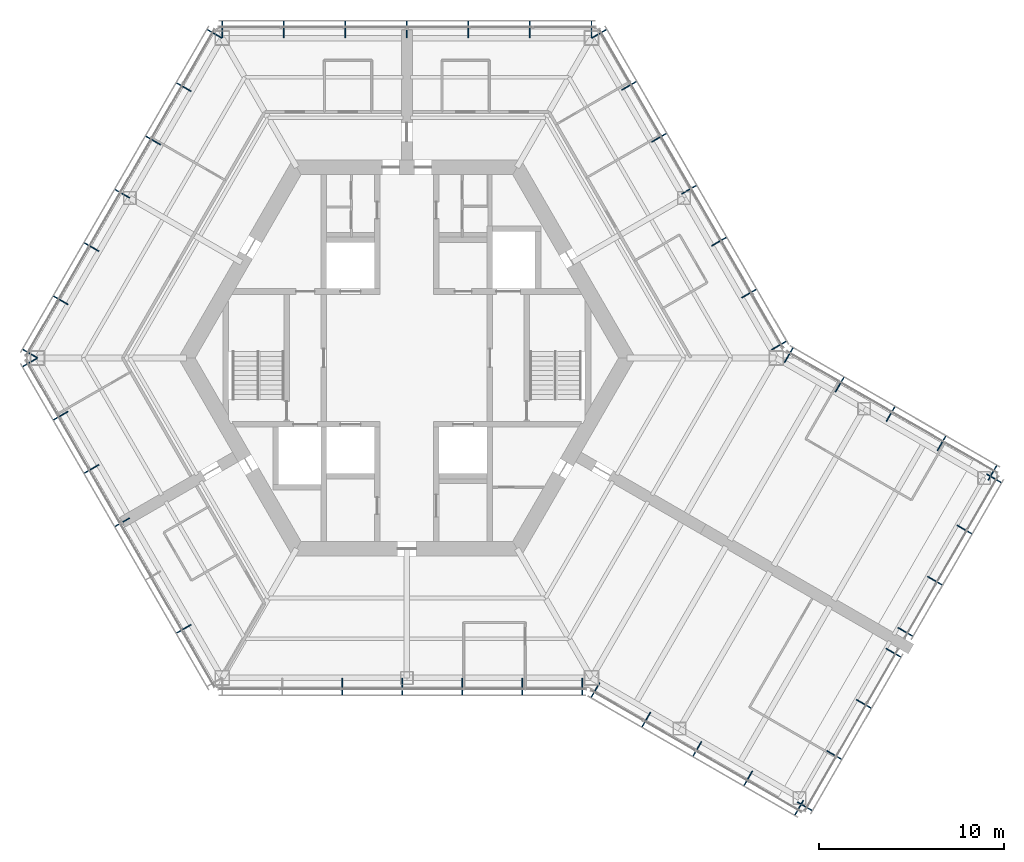
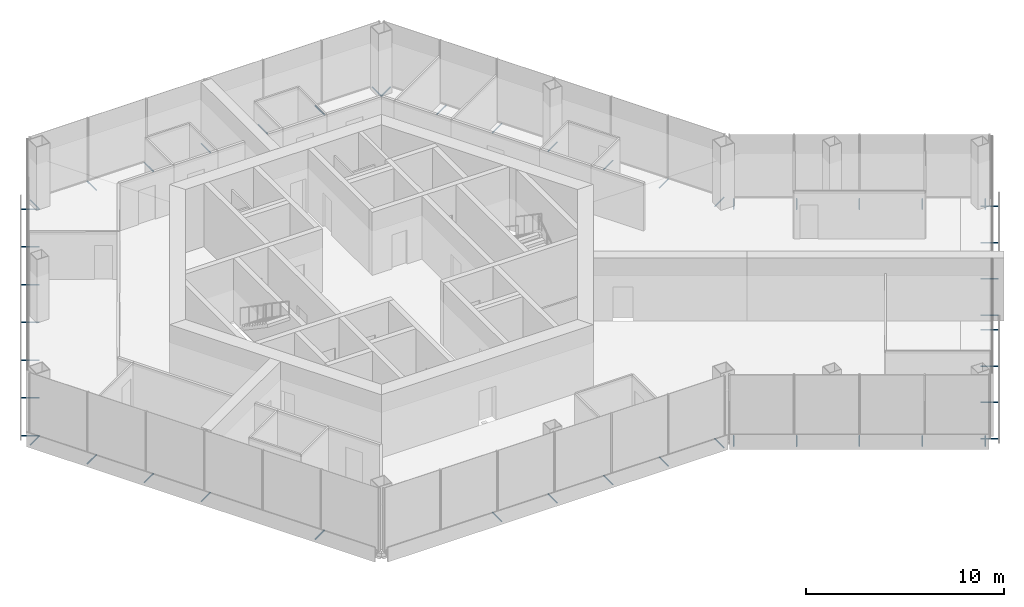
# One storey, part 14 of 15: 49 discrete accessories.
"""IFC4 building model written with IfcOpenShell, lengths in metres."""

from ifc_helpers import new_model, si_unit, direction, frame, origin, origin_2d, place, context, subcontext, project, spatial, hollow_circle, extrude, material, material_profile, profile_set, type_object, element, save


model = new_model("IFC4")

# Units and contexts
model_context = context("Model", 3, precision=1e-05, world=origin(), true_north=direction((0.0, 1.0)))
body_context = subcontext(model_context, "Body", "Model", "MODEL_VIEW")
ifc_project = project(units=[si_unit("LENGTHUNIT", "METRE"), si_unit("AREAUNIT", "SQUARE_METRE"), si_unit("VOLUMEUNIT", "CUBIC_METRE"), si_unit("PLANEANGLEUNIT", "RADIAN"), si_unit("MASSUNIT", "GRAM", prefix="KILO")], contexts=[model_context])

# Site, building, storey
site_placement = place(None, origin())
site = spatial("IfcSite", under=ifc_project, at=site_placement, CompositionType="ELEMENT")
building_placement = place(site_placement, origin())
building = spatial("IfcBuilding", under=site, at=building_placement, Name="Kasaneha Research Tower", CompositionType="ELEMENT")
storey_placement = place(building_placement, frame((0.0, 0.0, 240.10009765625)))
storey = spatial("IfcBuildingStorey", under=building, at=storey_placement, Name="L60", CompositionType="ELEMENT", Elevation=240.10009765625)

# Discrete accessories
ifc_material = material(Name="Steel STK400", Category="steel")
ifc_material_profile = material_profile(ifc_material, hollow_circle(Radius=0.0380859375, WallThickness=0.00390625, at=origin_2d()), Name="CHS-76.3x4.0")
ifc_profile_set = profile_set([ifc_material_profile], Name="Steel STK400")
discrete_accessory_type = type_object("IfcDiscreteAccessoryType", Name="Screen bracket CHS-76.3x4.0", PredefinedType="BRACKET", material=ifc_profile_set)
for number, where, z_axis, x_axis, name in (
    (1, (19.74462890625, 0.4423828125, -0.300048828125), (0.866013213425, 0.500021113727, 0.0), (-0.500021113727, 0.866013213425, 0.0), "Screen bracket 1"),
    (2, (18.120849609375, 3.2548828125, -0.300048828125), (0.866013213425, 0.500021113727, 0.0), (-0.500021113727, 0.866013213425, 0.0), "Screen bracket 2"),
    (3, (16.4970703125, 6.0673828125, -0.300048828125), (0.866013213425, 0.500021113727, 0.0), (-0.500021113727, 0.866013213425, 0.0), "Screen bracket 3"),
    (4, (14.873291015625, 8.8798828125, -0.300048828125), (0.866013213425, 0.500021113727, 0.0), (-0.500021113727, 0.866013213425, 0.0), "Screen bracket 4"),
    (5, (13.24951171875, 11.6923828125, -0.300048828125), (0.866013213425, 0.500021113727, 0.0), (-0.500021113727, 0.866013213425, 0.0), "Screen bracket 5"),
):
    element("IfcDiscreteAccessory", number, at=place(storey_placement, frame(where, z_axis=z_axis, x_axis=x_axis)), inside=storey, type_object=discrete_accessory_type, Name=name, PredefinedType="BRACKET", context=body_context, shape_type="SweptSolid", body=[
        extrude(hollow_circle(Radius=0.0380859375, WallThickness=0.00390625, at=origin_2d()), origin(), (0.0, 0.0, 1.0), 0.919921875),
    ])
for number, where, z_axis, x_axis, name in (
    (6, (11.62548828125, 14.5048828125, -0.300048828125), (0.866079547155, 0.499906209203, 0.0), (-0.499906209203, 0.866079547155, 0.0), "Screen bracket 6"),
    (7, (10.001708984375, 17.3173828125, -0.300048828125), (0.866079547155, 0.499906209203, 0.0), (-0.499906209203, 0.866079547155, 0.0), "Screen bracket 7"),
):
    element("IfcDiscreteAccessory", number, at=place(storey_placement, frame(where, z_axis=z_axis, x_axis=x_axis)), inside=storey, type_object=discrete_accessory_type, Name=name, PredefinedType="BRACKET", context=body_context, shape_type="SweptSolid", body=[
        extrude(hollow_circle(Radius=0.0380859375, WallThickness=0.00390625, at=origin_2d()), origin(), (0.0, 0.0, 1.0), 0.920166015625),
    ])
for number, where, z_axis, x_axis, name in (
    (8, (9.996337890625, 17.320556640625, -0.300048828125), (0.0, 1.0, 0.0), (-1.0, 0.0, 0.0), "Screen bracket 1"),
    (9, (6.664306640625, 17.320556640625, -0.300048828125), (0.0, 1.0, 0.0), (-1.0, 0.0, 0.0), "Screen bracket 2"),
    (10, (3.33203125, 17.320556640625, -0.300048828125), (0.0, 1.0, 0.0), (-1.0, 0.0, 0.0), "Screen bracket 3"),
    (11, (0.0, 17.320556640625, -0.300048828125), (0.0, 1.0, 0.0), (-1.0, 0.0, 0.0), "Screen bracket 4"),
    (12, (-3.33203125, 17.320556640625, -0.300048828125), (0.0, 1.0, 0.0), (-1.0, 0.0, 0.0), "Screen bracket 5"),
    (13, (-6.664306640625, 17.320556640625, -0.300048828125), (0.0, 1.0, 0.0), (-1.0, 0.0, 0.0), "Screen bracket 6"),
    (14, (-9.996337890625, 17.320556640625, -0.300048828125), (0.0, 1.0, 0.0), (-1.0, 0.0, 0.0), "Screen bracket 7"),
):
    element("IfcDiscreteAccessory", number, at=place(storey_placement, frame(where, z_axis=z_axis, x_axis=x_axis)), inside=storey, type_object=discrete_accessory_type, Name=name, PredefinedType="BRACKET", context=body_context, shape_type="SweptSolid", body=[
        extrude(hollow_circle(Radius=0.0380859375, WallThickness=0.00390625, at=origin_2d()), origin(), (0.0, 0.0, 1.0), 0.919921875),
    ])
discrete_accessory_1_placement = place(storey_placement, frame((-10.001708984375, 17.3173828125, -0.300048828125), z_axis=(-0.866079547155, 0.499906209203, 0.0), x_axis=(-0.499906209203, -0.866079547155, 0.0)))
element("IfcDiscreteAccessory", 15, at=discrete_accessory_1_placement, inside=storey, type_object=discrete_accessory_type, Name="Screen bracket 1", PredefinedType="BRACKET", context=body_context, shape_type="SweptSolid", body=[
    extrude(hollow_circle(Radius=0.0380859375, WallThickness=0.00390625, at=origin_2d()), origin(), (0.0, 0.0, 1.0), 0.920166015625),
])
for number, where, z_axis, x_axis, name in (
    (16, (-11.66796875, 14.431640625, -0.300048828125), (-0.866013213425, 0.500021113727, 0.0), (-0.500021113727, -0.866013213425, 0.0), "Screen bracket 2"),
    (17, (-13.333984375, 11.5458984375, -0.300048828125), (-0.866013213425, 0.500021113727, 0.0), (-0.500021113727, -0.866013213425, 0.0), "Screen bracket 3"),
    (18, (-15.0, 8.66015625, -0.300048828125), (-0.865898279276, 0.500220121494, 0.0), (-0.500220121494, -0.865898279276, 0.0), "Screen bracket 4"),
):
    element("IfcDiscreteAccessory", number, at=place(storey_placement, frame(where, z_axis=z_axis, x_axis=x_axis)), inside=storey, type_object=discrete_accessory_type, Name=name, PredefinedType="BRACKET", context=body_context, shape_type="SweptSolid", body=[
        extrude(hollow_circle(Radius=0.0380859375, WallThickness=0.00390625, at=origin_2d()), origin(), (0.0, 0.0, 1.0), 0.919921875),
    ])
for number, where, z_axis, x_axis, name in (
    (19, (-16.666015625, 5.774658203125, -0.300048828125), (-0.866079547155, 0.499906209203, 0.0), (-0.499906209203, -0.866079547155, 0.0), "Screen bracket 5"),
    (20, (-18.33203125, 2.888916015625, -0.300048828125), (-0.866079547155, 0.499906209203, 0.0), (-0.499906209203, -0.866079547155, 0.0), "Screen bracket 6"),
):
    element("IfcDiscreteAccessory", number, at=place(storey_placement, frame(where, z_axis=z_axis, x_axis=x_axis)), inside=storey, type_object=discrete_accessory_type, Name=name, PredefinedType="BRACKET", context=body_context, shape_type="SweptSolid", body=[
        extrude(hollow_circle(Radius=0.0380859375, WallThickness=0.00390625, at=origin_2d()), origin(), (0.0, 0.0, 1.0), 0.920166015625),
    ])
for number, where, z_axis, x_axis, name in (
    (21, (-19.998291015625, 0.003173828125, -0.300048828125), (-0.866013213425, 0.500021113727, 0.0), (-0.500021113727, -0.866013213425, 0.0), "Screen bracket 7"),
    (22, (-19.998291015625, -0.003173828125, -0.300048828125), (-0.866013213425, -0.500021113727, 0.0), (0.500021113727, -0.866013213425, 0.0), "Screen bracket 1"),
):
    element("IfcDiscreteAccessory", number, at=place(storey_placement, frame(where, z_axis=z_axis, x_axis=x_axis)), inside=storey, type_object=discrete_accessory_type, Name=name, PredefinedType="BRACKET", context=body_context, shape_type="SweptSolid", body=[
        extrude(hollow_circle(Radius=0.0380859375, WallThickness=0.00390625, at=origin_2d()), origin(), (0.0, 0.0, 1.0), 0.919921875),
    ])
for number, where, z_axis, x_axis, name in (
    (23, (-18.33203125, -2.888916015625, -0.300048828125), (-0.866079547155, -0.499906209203, 0.0), (0.499906209203, -0.866079547155, 0.0), "Screen bracket 2"),
    (24, (-16.666015625, -5.774658203125, -0.300048828125), (-0.866079547155, -0.499906209203, 0.0), (0.499906209203, -0.866079547155, 0.0), "Screen bracket 3"),
):
    element("IfcDiscreteAccessory", number, at=place(storey_placement, frame(where, z_axis=z_axis, x_axis=x_axis)), inside=storey, type_object=discrete_accessory_type, Name=name, PredefinedType="BRACKET", context=body_context, shape_type="SweptSolid", body=[
        extrude(hollow_circle(Radius=0.0380859375, WallThickness=0.00390625, at=origin_2d()), origin(), (0.0, 0.0, 1.0), 0.920166015625),
    ])
for number, where, z_axis, x_axis, name in (
    (25, (-15.0, -8.66015625, -0.300048828125), (-0.865898279276, -0.500220121494, 0.0), (0.500220121494, -0.865898279276, 0.0), "Screen bracket 4"),
    (26, (-11.66796875, -14.431640625, -0.300048828125), (-0.866013213425, -0.500021113727, 0.0), (0.500021113727, -0.866013213425, 0.0), "Screen bracket 6"),
    (27, (-3.501220703125, -17.320556640625, -0.300048828125), (0.0, -1.0, 0.0), (1.0, 0.0, 0.0), "Screen bracket 3"),
    (28, (-0.253662109375, -17.320556640625, -0.300048828125), (0.0, -1.0, 0.0), (1.0, 0.0, 0.0), "Screen bracket 4"),
    (29, (2.993896484375, -17.320556640625, -0.300048828125), (0.0, -1.0, 0.0), (1.0, 0.0, 0.0), "Screen bracket 5"),
    (30, (6.24169921875, -17.320556640625, -0.300048828125), (0.0, -1.0, 0.0), (1.0, 0.0, 0.0), "Screen bracket 6"),
    (31, (9.4892578125, -17.320556640625, -0.300048828125), (0.0, -1.0, 0.0), (1.0, 0.0, 0.0), "Screen bracket 7"),
    (32, (10.4423828125, -17.575927734375, -0.300048828125), (-0.500021113727, -0.866013213425, 0.0), (0.866013213425, -0.500021113727, 0.0), "Screen bracket 1"),
):
    element("IfcDiscreteAccessory", number, at=place(storey_placement, frame(where, z_axis=z_axis, x_axis=x_axis)), inside=storey, type_object=discrete_accessory_type, Name=name, PredefinedType="BRACKET", context=body_context, shape_type="SweptSolid", body=[
        extrude(hollow_circle(Radius=0.0380859375, WallThickness=0.00390625, at=origin_2d()), origin(), (0.0, 0.0, 1.0), 0.919921875),
    ])
discrete_accessory_2_placement = place(storey_placement, frame((13.200439453125, -19.168212890625, -0.300048828125), z_axis=(-0.499906209203, -0.866079547155, 0.0), x_axis=(0.866079547155, -0.499906209203, 0.0)))
element("IfcDiscreteAccessory", 33, at=discrete_accessory_2_placement, inside=storey, type_object=discrete_accessory_type, Name="Screen bracket 2", PredefinedType="BRACKET", context=body_context, shape_type="SweptSolid", body=[
    extrude(hollow_circle(Radius=0.0380859375, WallThickness=0.00390625, at=origin_2d()), origin(), (0.0, 0.0, 1.0), 0.920166015625),
])
discrete_accessory_3_placement = place(storey_placement, frame((15.95849609375, -20.7607421875, -0.300048828125), z_axis=(-0.500021113727, -0.866013213425, 0.0), x_axis=(0.866013213425, -0.500021113727, 0.0)))
element("IfcDiscreteAccessory", 34, at=discrete_accessory_3_placement, inside=storey, type_object=discrete_accessory_type, Name="Screen bracket 3", PredefinedType="BRACKET", context=body_context, shape_type="SweptSolid", body=[
    extrude(hollow_circle(Radius=0.0380859375, WallThickness=0.00390625, at=origin_2d()), origin(), (0.0, 0.0, 1.0), 0.919921875),
])
discrete_accessory_4_placement = place(storey_placement, frame((18.716796875, -22.35302734375, -0.300048828125), z_axis=(-0.500105201737, -0.865964657013, 0.0), x_axis=(0.865964657013, -0.500105201737, 0.0)))
element("IfcDiscreteAccessory", 35, at=discrete_accessory_4_placement, inside=storey, type_object=discrete_accessory_type, Name="Screen bracket 4", PredefinedType="BRACKET", context=body_context, shape_type="SweptSolid", body=[
    extrude(hollow_circle(Radius=0.0380859375, WallThickness=0.00390625, at=origin_2d()), origin(), (0.0, 0.0, 1.0), 0.920166015625),
])
discrete_accessory_5_placement = place(storey_placement, frame((21.474853515625, -23.945556640625, -0.300048828125), z_axis=(-0.500021113727, -0.866013213425, 0.0), x_axis=(0.866013213425, -0.500021113727, 0.0)))
element("IfcDiscreteAccessory", 36, at=discrete_accessory_5_placement, inside=storey, type_object=discrete_accessory_type, Name="Screen bracket 5", PredefinedType="BRACKET", context=body_context, shape_type="SweptSolid", body=[
    extrude(hollow_circle(Radius=0.0380859375, WallThickness=0.00390625, at=origin_2d()), origin(), (0.0, 0.0, 1.0), 0.919921875),
])
discrete_accessory_6_placement = place(storey_placement, frame((21.13330078125, -24.037109375, -0.300048828125), z_axis=(0.866079547155, -0.499906209203, 0.0), x_axis=(0.499906209203, 0.866079547155, 0.0)))
element("IfcDiscreteAccessory", 37, at=discrete_accessory_6_placement, inside=storey, type_object=discrete_accessory_type, Name="Screen bracket 1", PredefinedType="BRACKET", context=body_context, shape_type="SweptSolid", body=[
    extrude(hollow_circle(Radius=0.0380859375, WallThickness=0.00390625, at=origin_2d()), origin(), (0.0, 0.0, 1.0), 0.920166015625),
])
discrete_accessory_7_placement = place(storey_placement, frame((22.7333984375, -21.265625, -0.300048828125), z_axis=(0.865898279276, -0.500220121494, 0.0), x_axis=(0.500220121494, 0.865898279276, 0.0)))
element("IfcDiscreteAccessory", 38, at=discrete_accessory_7_placement, inside=storey, type_object=discrete_accessory_type, Name="Screen bracket 2", PredefinedType="BRACKET", context=body_context, shape_type="SweptSolid", body=[
    extrude(hollow_circle(Radius=0.0380859375, WallThickness=0.00390625, at=origin_2d()), origin(), (0.0, 0.0, 1.0), 0.919921875),
])
discrete_accessory_8_placement = place(storey_placement, frame((24.333251953125, -18.494384765625, -0.300048828125), z_axis=(0.866079547155, -0.499906209203, 0.0), x_axis=(0.499906209203, 0.866079547155, 0.0)))
element("IfcDiscreteAccessory", 39, at=discrete_accessory_8_placement, inside=storey, type_object=discrete_accessory_type, Name="Screen bracket 3", PredefinedType="BRACKET", context=body_context, shape_type="SweptSolid", body=[
    extrude(hollow_circle(Radius=0.0380859375, WallThickness=0.00390625, at=origin_2d()), origin(), (0.0, 0.0, 1.0), 0.920166015625),
])
discrete_accessory_9_placement = place(storey_placement, frame((25.933349609375, -15.72314453125, -0.300048828125), z_axis=(0.866013213425, -0.500021113727, 0.0), x_axis=(0.500021113727, 0.866013213425, 0.0)))
element("IfcDiscreteAccessory", 40, at=discrete_accessory_9_placement, inside=storey, type_object=discrete_accessory_type, Name="Screen bracket 4", PredefinedType="BRACKET", context=body_context, shape_type="SweptSolid", body=[
    extrude(hollow_circle(Radius=0.0380859375, WallThickness=0.00390625, at=origin_2d()), origin(), (0.0, 0.0, 1.0), 0.919921875),
])
discrete_accessory_10_placement = place(storey_placement, frame((26.583251953125, -14.597412109375, -0.300048828125), z_axis=(0.866079547155, -0.499906209203, 0.0), x_axis=(0.499906209203, 0.866079547155, 0.0)))
element("IfcDiscreteAccessory", 41, at=discrete_accessory_10_placement, inside=storey, type_object=discrete_accessory_type, Name="Screen bracket 1", PredefinedType="BRACKET", context=body_context, shape_type="SweptSolid", body=[
    extrude(hollow_circle(Radius=0.0380859375, WallThickness=0.00390625, at=origin_2d()), origin(), (0.0, 0.0, 1.0), 0.920166015625),
])
for number, where, z_axis, x_axis, name in (
    (42, (28.183349609375, -11.826171875, -0.300048828125), (0.866013213425, -0.500021113727, 0.0), (0.500021113727, 0.866013213425, 0.0), "Screen bracket 2"),
    (43, (29.783447265625, -9.0546875, -0.300048828125), (0.865898279276, -0.500220121494, 0.0), (0.500220121494, 0.865898279276, 0.0), "Screen bracket 3"),
):
    element("IfcDiscreteAccessory", number, at=place(storey_placement, frame(where, z_axis=z_axis, x_axis=x_axis)), inside=storey, type_object=discrete_accessory_type, Name=name, PredefinedType="BRACKET", context=body_context, shape_type="SweptSolid", body=[
        extrude(hollow_circle(Radius=0.0380859375, WallThickness=0.00390625, at=origin_2d()), origin(), (0.0, 0.0, 1.0), 0.919921875),
    ])
discrete_accessory_11_placement = place(storey_placement, frame((31.38330078125, -6.283447265625, -0.300048828125), z_axis=(0.866079547155, -0.499906209203, 0.0), x_axis=(0.499906209203, 0.866079547155, 0.0)))
element("IfcDiscreteAccessory", 44, at=discrete_accessory_11_placement, inside=storey, type_object=discrete_accessory_type, Name="Screen bracket 4", PredefinedType="BRACKET", context=body_context, shape_type="SweptSolid", body=[
    extrude(hollow_circle(Radius=0.0380859375, WallThickness=0.00390625, at=origin_2d()), origin(), (0.0, 0.0, 1.0), 0.920166015625),
])
discrete_accessory_12_placement = place(storey_placement, frame((31.474853515625, -6.625, -0.300048828125), z_axis=(0.500021113727, 0.866013213425, 0.0), x_axis=(-0.866013213425, 0.500021113727, 0.0)))
element("IfcDiscreteAccessory", 45, at=discrete_accessory_12_placement, inside=storey, type_object=discrete_accessory_type, Name="Screen bracket 1", PredefinedType="BRACKET", context=body_context, shape_type="SweptSolid", body=[
    extrude(hollow_circle(Radius=0.0380859375, WallThickness=0.00390625, at=origin_2d()), origin(), (0.0, 0.0, 1.0), 0.919921875),
])
discrete_accessory_13_placement = place(storey_placement, frame((28.716796875, -5.03271484375, -0.300048828125), z_axis=(0.499906209203, 0.866079547155, 0.0), x_axis=(-0.866079547155, 0.499906209203, 0.0)))
element("IfcDiscreteAccessory", 46, at=discrete_accessory_13_placement, inside=storey, type_object=discrete_accessory_type, Name="Screen bracket 2", PredefinedType="BRACKET", context=body_context, shape_type="SweptSolid", body=[
    extrude(hollow_circle(Radius=0.0380859375, WallThickness=0.00390625, at=origin_2d()), origin(), (0.0, 0.0, 1.0), 0.920166015625),
])
discrete_accessory_14_placement = place(storey_placement, frame((25.95849609375, -3.440185546875, -0.300048828125), z_axis=(0.500220121494, 0.865898279276, 0.0), x_axis=(-0.865898279276, 0.500220121494, 0.0)))
element("IfcDiscreteAccessory", 47, at=discrete_accessory_14_placement, inside=storey, type_object=discrete_accessory_type, Name="Screen bracket 3", PredefinedType="BRACKET", context=body_context, shape_type="SweptSolid", body=[
    extrude(hollow_circle(Radius=0.0380859375, WallThickness=0.00390625, at=origin_2d()), origin(), (0.0, 0.0, 1.0), 0.919921875),
])
discrete_accessory_15_placement = place(storey_placement, frame((23.200439453125, -1.847900390625, -0.300048828125), z_axis=(0.499906209203, 0.866079547155, 0.0), x_axis=(-0.866079547155, 0.499906209203, 0.0)))
element("IfcDiscreteAccessory", 48, at=discrete_accessory_15_placement, inside=storey, type_object=discrete_accessory_type, Name="Screen bracket 4", PredefinedType="BRACKET", context=body_context, shape_type="SweptSolid", body=[
    extrude(hollow_circle(Radius=0.0380859375, WallThickness=0.00390625, at=origin_2d()), origin(), (0.0, 0.0, 1.0), 0.920166015625),
])
discrete_accessory_16_placement = place(storey_placement, frame((20.4423828125, -0.25537109375, -0.300048828125), z_axis=(0.500021113727, 0.866013213425, 0.0), x_axis=(-0.866013213425, 0.500021113727, 0.0)))
element("IfcDiscreteAccessory", 49, at=discrete_accessory_16_placement, inside=storey, type_object=discrete_accessory_type, Name="Screen bracket 5", PredefinedType="BRACKET", context=body_context, shape_type="SweptSolid", body=[
    extrude(hollow_circle(Radius=0.0380859375, WallThickness=0.00390625, at=origin_2d()), origin(), (0.0, 0.0, 1.0), 0.919921875),
])

save(model, "model.ifc")
